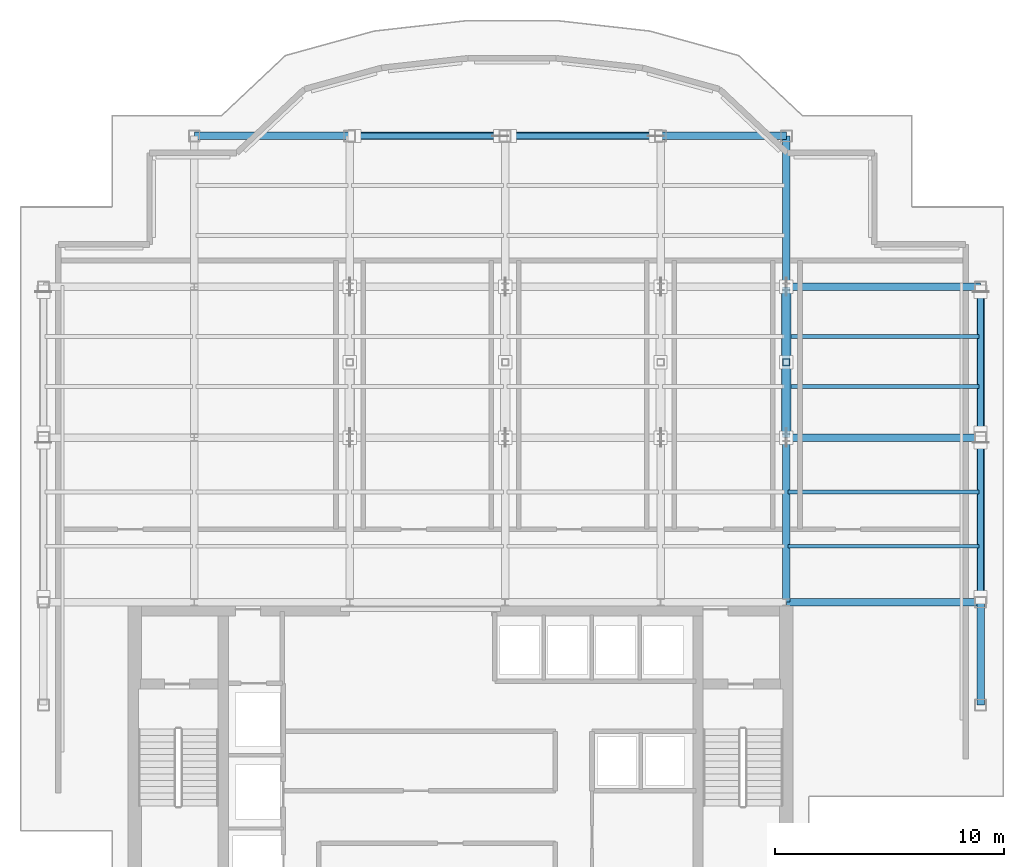
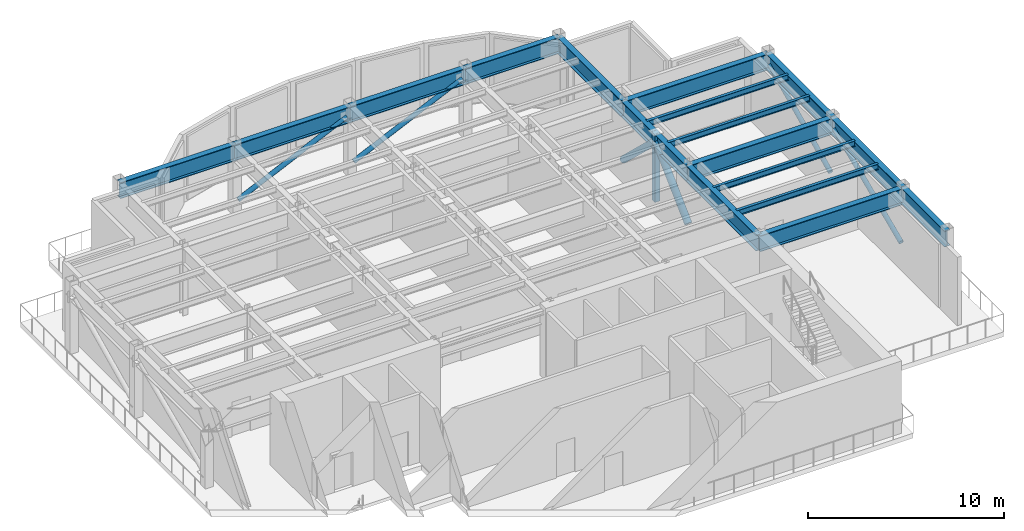
# One storey, part 3 of 7: 17 beams, 7 members.
"""IFC4 building model written with IfcOpenShell, lengths in metres."""

from ifc_helpers import new_model, si_unit, derived_unit, direction, frame, origin, origin_2d, place, context, subcontext, project, spatial, hollow_rectangle, hollow_circle, i_section, extrude, source, transform, mapped, material, material_profile, profile_set, type_object, element, save


model = new_model("IFC4")

# Units and contexts
model_context = context("Model", 3, precision=1e-05, world=origin(), true_north=direction((0.0, 1.0)))
body_context = subcontext(model_context, "Body", "Model", "MODEL_VIEW")
ifc_project = project(units=[si_unit("LENGTHUNIT", "METRE"), si_unit("AREAUNIT", "SQUARE_METRE"), si_unit("VOLUMEUNIT", "CUBIC_METRE"), si_unit("PLANEANGLEUNIT", "RADIAN"), si_unit("MASSUNIT", "GRAM", prefix="KILO"), derived_unit("THERMALTRANSMITTANCEUNIT", [(si_unit("POWERUNIT", "WATT"), 1), (si_unit("LENGTHUNIT", "METRE"), -2), (si_unit("THERMODYNAMICTEMPERATUREUNIT", "KELVIN"), -1)])], contexts=[model_context])

# Site, building, storey
site_placement = place(None, origin())
site = spatial("IfcSite", under=ifc_project, at=site_placement, CompositionType="ELEMENT")
building_placement = place(site_placement, origin())
building = spatial("IfcBuilding", under=site, at=building_placement, Name="Skarnbrae Concourse Arena and Tower", CompositionType="ELEMENT")
storey_placement = place(building_placement, frame((0.0, 0.0, 236.050048828125)))
storey = spatial("IfcBuildingStorey", under=building, at=storey_placement, Name="L61", CompositionType="ELEMENT", Elevation=236.050048828125)

# Beams
ifc_material = material(Name="Steel CSA G40.21 350W", Category="steel")
ifc_material_profile_1 = material_profile(ifc_material, i_section(OverallWidth=0.327880859375, OverallDepth=1.0, WebThickness=0.02099609375, FlangeThickness=0.03759765625, at=origin_2d()), Name="W1000X371")
ifc_profile_set_1 = profile_set([ifc_material_profile_1], Name="Steel CSA G40.21 350W")
beam_type_1 = type_object("IfcBeamType", Name="BM-XFER-W1000X371", PredefinedType="BEAM", material=ifc_profile_set_1)
shared_shape_1 = source(origin(), body_context, "Body", "SweptSolid", [
    extrude(i_section(OverallWidth=0.327880859375, OverallDepth=1.0, WebThickness=0.02099609375, FlangeThickness=0.03759765625, at=origin_2d()), origin(), (0.0, 0.0, 1.0), 6.60009765625),
])
for number, where, z_axis, x_axis, name in (
    (1, (33.5, 21.199951171875, 3.75), (0.0, 1.0, 0.0), (-1.0, 0.0, 0.0), "L61 Primary N-S girder X33.5-2"),
    (2, (42.0, 21.199951171875, 3.75), (0.0, 1.0, 0.0), (-1.0, 0.0, 0.0), "L61 Perimeter spandrel X42.0-3"),
):
    element("IfcBeam", number, at=place(storey_placement, frame(where, z_axis=z_axis, x_axis=x_axis)), inside=storey, type_object=beam_type_1, Name=name, PredefinedType="BEAM", context=body_context, shape_type="MappedRepresentation", body=[
        mapped(shared_shape_1, transform((0.0, 0.0, 0.0))),
    ])
shared_shape_2 = source(origin(), body_context, "Body", "SweptSolid", [
    extrude(i_section(OverallWidth=0.327880859375, OverallDepth=1.0, WebThickness=0.02099609375, FlangeThickness=0.03759765625, at=origin_2d()), origin(), (0.0, 0.0, 1.0), 6.7998046875),
])
beam_1_placement = place(storey_placement, frame((7.60009765625, 34.39990234375, 3.75), z_axis=(1.0, 0.0, 0.0), x_axis=(0.0, 1.0, 0.0)))
element("IfcBeam", 3, at=beam_1_placement, inside=storey, type_object=beam_type_1, Name="L61 Perimeter spandrel Y34.4-1", PredefinedType="BEAM", context=body_context, shape_type="MappedRepresentation", body=[
    mapped(shared_shape_2, transform((0.0, 0.0, 0.0))),
])
shared_shape_3 = source(origin(), body_context, "Body", "SweptSolid", [
    extrude(i_section(OverallWidth=0.327880859375, OverallDepth=1.0, WebThickness=0.02099609375, FlangeThickness=0.03759765625, at=origin_2d()), origin(), (0.0, 0.0, 1.0), 6.800048828125),
])
for number, where, z_axis, x_axis, name in (
    (4, (14.39990234375, 34.39990234375, 3.75), (1.0, 0.0, 0.0), (0.0, 1.0, 0.0), "L61 Perimeter spandrel Y34.4-2"),
    (5, (21.199951171875, 34.39990234375, 3.75), (1.0, 0.0, 0.0), (0.0, 1.0, 0.0), "L61 Perimeter spandrel Y34.4-3"),
):
    element("IfcBeam", number, at=place(storey_placement, frame(where, z_axis=z_axis, x_axis=x_axis)), inside=storey, type_object=beam_type_1, Name=name, PredefinedType="BEAM", context=body_context, shape_type="MappedRepresentation", body=[
        mapped(shared_shape_3, transform((0.0, 0.0, 0.0))),
    ])
shared_shape_4 = source(origin(), body_context, "Body", "SweptSolid", [
    extrude(i_section(OverallWidth=0.327880859375, OverallDepth=1.0, WebThickness=0.02099609375, FlangeThickness=0.03759765625, at=origin_2d()), origin(), (0.0, 0.0, 1.0), 5.5),
])
beam_2_placement = place(storey_placement, frame((28.0, 34.39990234375, 3.75), z_axis=(1.0, 0.0, 0.0), x_axis=(0.0, 1.0, 0.0)))
element("IfcBeam", 6, at=beam_2_placement, inside=storey, type_object=beam_type_1, Name="L61 Perimeter spandrel Y34.4-4", PredefinedType="BEAM", context=body_context, shape_type="MappedRepresentation", body=[
    mapped(shared_shape_4, transform((0.0, 0.0, 0.0))),
])
shared_shape_5 = source(origin(), body_context, "Body", "SweptSolid", [
    extrude(i_section(OverallWidth=0.327880859375, OverallDepth=1.0, WebThickness=0.02099609375, FlangeThickness=0.03759765625, at=origin_2d()), origin(), (0.0, 0.0, 1.0), 8.5),
])
for number, where, z_axis, x_axis, name in (
    (7, (33.5, 14.0, 3.75), (1.0, 0.0, 0.0), (0.0, 1.0, 0.0), "L61 Primary E-W girder Y14.0-6"),
    (8, (33.5, 21.199951171875, 3.75), (1.0, 0.0, 0.0), (0.0, 1.0, 0.0), "L61 Primary E-W girder Y21.2-6"),
    (9, (33.5, 27.800048828125, 3.75), (1.0, 0.0, 0.0), (0.0, 1.0, 0.0), "L61 Primary E-W girder Y27.8-6"),
):
    element("IfcBeam", number, at=place(storey_placement, frame(where, z_axis=z_axis, x_axis=x_axis)), inside=storey, type_object=beam_type_1, Name=name, PredefinedType="BEAM", context=body_context, shape_type="MappedRepresentation", body=[
        mapped(shared_shape_5, transform((0.0, 0.0, 0.0))),
    ])
shared_shape_6 = source(origin(), body_context, "Body", "SweptSolid", [
    extrude(i_section(OverallWidth=0.327880859375, OverallDepth=1.0, WebThickness=0.02099609375, FlangeThickness=0.03759765625, at=origin_2d()), origin(), (0.0, 0.0, 1.0), 4.5),
])
beam_3_placement = place(storey_placement, frame((42.0, 9.5, 3.75), z_axis=(0.0, 1.0, 0.0), x_axis=(-1.0, 0.0, 0.0)))
element("IfcBeam", 10, at=beam_3_placement, inside=storey, type_object=beam_type_1, Name="L61 Perimeter spandrel X42.0-1", PredefinedType="BEAM", context=body_context, shape_type="MappedRepresentation", body=[
    mapped(shared_shape_6, transform((0.0, 0.0, 0.0))),
])
shared_shape_7 = source(origin(), body_context, "Body", "SweptSolid", [
    extrude(i_section(OverallWidth=0.327880859375, OverallDepth=1.0, WebThickness=0.02099609375, FlangeThickness=0.03759765625, at=origin_2d()), origin(), (0.0, 0.0, 1.0), 7.199951171875),
])
for number, where, z_axis, x_axis, name in (
    (11, (33.5, 14.0, 3.75), (0.0, 1.0, 0.0), (-1.0, 0.0, 0.0), "L61 Primary N-S girder X33.5-1"),
    (12, (42.0, 14.0, 3.75), (0.0, 1.0, 0.0), (-1.0, 0.0, 0.0), "L61 Perimeter spandrel X42.0-2"),
):
    element("IfcBeam", number, at=place(storey_placement, frame(where, z_axis=z_axis, x_axis=x_axis)), inside=storey, type_object=beam_type_1, Name=name, PredefinedType="BEAM", context=body_context, shape_type="MappedRepresentation", body=[
        mapped(shared_shape_7, transform((0.0, 0.0, 0.0))),
    ])
shared_shape_8 = source(origin(), body_context, "Body", "SweptSolid", [
    extrude(i_section(OverallWidth=0.327880859375, OverallDepth=1.0, WebThickness=0.02099609375, FlangeThickness=0.03759765625, at=origin_2d()), origin(), (0.0, 0.0, 1.0), 6.599853515625),
])
beam_4_placement = place(storey_placement, frame((33.5, 27.800048828125, 3.75), z_axis=(0.0, 1.0, 0.0), x_axis=(-1.0, 0.0, 0.0)))
element("IfcBeam", 13, at=beam_4_placement, inside=storey, type_object=beam_type_1, Name="L61 Primary N-S girder X33.5-3", PredefinedType="BEAM", context=body_context, shape_type="MappedRepresentation", body=[
    mapped(shared_shape_8, transform((0.0, 0.0, 0.0))),
])
ifc_material_profile_2 = material_profile(ifc_material, i_section(OverallWidth=0.1708984375, OverallDepth=0.35498046875, WebThickness=0.007080078125, FlangeThickness=0.01171875, at=origin_2d()), Name="W360X51")
ifc_profile_set_2 = profile_set([ifc_material_profile_2], Name="Steel CSA G40.21 350W")
beam_type_2 = type_object("IfcBeamType", Name="BM-JOIST-W360X51", PredefinedType="JOIST", material=ifc_profile_set_2)
shared_shape_9 = source(origin(), body_context, "Body", "SweptSolid", [
    extrude(i_section(OverallWidth=0.1708984375, OverallDepth=0.35498046875, WebThickness=0.007080078125, FlangeThickness=0.01171875, at=origin_2d()), origin(), (0.0, 0.0, 1.0), 8.33984375),
])
for number, where, z_axis, x_axis, name in (
    (14, (33.580078125, 16.447998046875, 4.072509765625), (1.0, 0.0, 0.0), (0.0, 1.0, 0.0), "L61 Secondary floor joist 1.1.6"),
    (15, (33.580078125, 18.823974609375, 4.072509765625), (1.0, 0.0, 0.0), (0.0, 1.0, 0.0), "L61 Secondary floor joist 1.2.6"),
    (16, (33.580078125, 23.444091796875, 4.072509765625), (1.0, 0.0, 0.0), (0.0, 1.0, 0.0), "L61 Secondary floor joist 2.1.6"),
    (17, (33.580078125, 25.6220703125, 4.072509765625), (1.0, 0.0, 0.0), (0.0, 1.0, 0.0), "L61 Secondary floor joist 2.2.6"),
):
    element("IfcBeam", number, at=place(storey_placement, frame(where, z_axis=z_axis, x_axis=x_axis)), inside=storey, type_object=beam_type_2, Name=name, PredefinedType="JOIST", context=body_context, shape_type="MappedRepresentation", body=[
        mapped(shared_shape_9, transform((0.0, 0.0, 0.0))),
    ])

# Members
ifc_material_profile_3 = material_profile(ifc_material, hollow_circle(Radius=0.203125, WallThickness=0.02197265625, at=origin_2d()), Name="HSS406X22.0")
ifc_profile_set_3 = profile_set([ifc_material_profile_3], Name="Steel CSA G40.21 350W")
member_type_1 = type_object("IfcMemberType", Name="MEM-OUTRIG-CHS406", PredefinedType="BRACE", material=ifc_profile_set_3)
shared_shape_10 = source(origin(), body_context, "Body", "SweptSolid", [
    extrude(hollow_circle(Radius=0.203125, WallThickness=0.02197265625, at=origin_2d()), origin(), (0.0, 0.0, 1.0), 4.56201171875),
])
for number, where, z_axis, x_axis, name in (
    (18, (33.5, 21.199951171875, 0.550048828125), (0.0, 0.723371338309, 0.690459200035), (-1.0, 0.0, 0.0), "L61 Core outrigger trusses diagonal O4.1"),
    (19, (33.5, 24.5, 3.699951171875), (0.0, 0.723371338309, -0.690459200035), (-1.0, 0.0, 0.0), "L61 Core outrigger trusses diagonal O4.2"),
):
    element("IfcMember", number, at=place(storey_placement, frame(where, z_axis=z_axis, x_axis=x_axis)), inside=storey, type_object=member_type_1, Name=name, PredefinedType="BRACE", context=body_context, shape_type="MappedRepresentation", body=[
        mapped(shared_shape_10, transform((0.0, 0.0, 0.0))),
    ])
ifc_material_profile_4 = material_profile(ifc_material, hollow_rectangle(XDim=0.3046875, YDim=0.3046875, WallThickness=0.015869140625, at=origin_2d()), Name="HSS305X305X15.9")
ifc_profile_set_4 = profile_set([ifc_material_profile_4], Name="Steel CSA G40.21 350W")
member_type_2 = type_object("IfcMemberType", Name="MEM-POST-HSS305", PredefinedType="POST", material=ifc_profile_set_4)
shared_shape_11 = source(origin(), body_context, "Body", "SweptSolid", [
    extrude(hollow_rectangle(XDim=0.3046875, YDim=0.3046875, WallThickness=0.015869140625, at=origin_2d()), origin(), (0.0, 0.0, 1.0), 4.25),
])
member_1_placement = place(storey_placement, frame((33.5, 24.5, 0.0), z_axis=(0.0, 0.0, 1.0), x_axis=(1.0, 0.0, 0.0)))
element("IfcMember", 20, at=member_1_placement, inside=storey, type_object=member_type_2, Name="L61 Outrigger truss mid-post O4", PredefinedType="POST", context=body_context, shape_type="MappedRepresentation", body=[
    mapped(shared_shape_11, transform((0.0, 0.0, 0.0))),
])
ifc_material_profile_5 = material_profile(ifc_material, hollow_circle(Radius=0.136474609375, WallThickness=0.015869140625, at=origin_2d()), Name="HSS273X15.9")
ifc_profile_set_5 = profile_set([ifc_material_profile_5], Name="Steel CSA G40.21 350W")
member_type_3 = type_object("IfcMemberType", Name="MEM-BELT-CHS273", PredefinedType="BRACE", material=ifc_profile_set_5)
shared_shape_12 = source(origin(), body_context, "Body", "SweptSolid", [
    extrude(hollow_circle(Radius=0.136474609375, WallThickness=0.015869140625, at=origin_2d()), origin(), (0.0, 0.0, 1.0), 7.388916015625),
])
member_2_placement = place(storey_placement, frame((42.0, 14.21533203125, 0.64404296875), z_axis=(0.0, 0.916152026455, 0.400830967394), x_axis=(-1.0, 0.0, 0.0)))
element("IfcMember", 21, at=member_2_placement, inside=storey, type_object=member_type_3, Name="L61 Perimeter belt trusses diagonal B03", PredefinedType="BRACE", context=body_context, shape_type="MappedRepresentation", body=[
    mapped(shared_shape_12, transform((0.0, 0.0, 0.0))),
])
shared_shape_13 = source(origin(), body_context, "Body", "SweptSolid", [
    extrude(hollow_circle(Radius=0.136474609375, WallThickness=0.015869140625, at=origin_2d()), origin(), (0.0, 0.0, 1.0), 6.843017578125),
])
member_3_placement = place(storey_placement, frame((42.0, 21.412109375, 0.651123046875), z_axis=(0.0, 0.902482298553, 0.430726944593), x_axis=(-1.0, 0.0, 0.0)))
element("IfcMember", 22, at=member_3_placement, inside=storey, type_object=member_type_3, Name="L61 Perimeter belt trusses diagonal B04", PredefinedType="BRACE", context=body_context, shape_type="MappedRepresentation", body=[
    mapped(shared_shape_13, transform((0.0, 0.0, 0.0))),
])
shared_shape_14 = source(origin(), body_context, "Body", "SweptSolid", [
    extrude(hollow_circle(Radius=0.136474609375, WallThickness=0.015869140625, at=origin_2d()), origin(), (0.0, 0.0, 1.0), 7.024169921875),
])
member_4_placement = place(storey_placement, frame((14.61328125, 34.39990234375, 0.648681640625), z_axis=(0.907375599781, 0.0, 0.420320735775), x_axis=(0.0, 1.0, 0.0)))
element("IfcMember", 23, at=member_4_placement, inside=storey, type_object=member_type_3, Name="L61 Perimeter belt trusses diagonal B05", PredefinedType="BRACE", context=body_context, shape_type="MappedRepresentation", body=[
    mapped(shared_shape_14, transform((0.0, 0.0, 0.0))),
])
shared_shape_15 = source(origin(), body_context, "Body", "SweptSolid", [
    extrude(hollow_circle(Radius=0.136474609375, WallThickness=0.015869140625, at=origin_2d()), origin(), (0.0, 0.0, 1.0), 7.0244140625),
])
member_5_placement = place(storey_placement, frame((21.4130859375, 34.39990234375, 0.648681640625), z_axis=(0.907381740056, 0.0, 0.420307480082), x_axis=(0.0, 1.0, 0.0)))
element("IfcMember", 24, at=member_5_placement, inside=storey, type_object=member_type_3, Name="L61 Perimeter belt trusses diagonal B06", PredefinedType="BRACE", context=body_context, shape_type="MappedRepresentation", body=[
    mapped(shared_shape_15, transform((0.0, 0.0, 0.0))),
])

save(model, "model.ifc")
